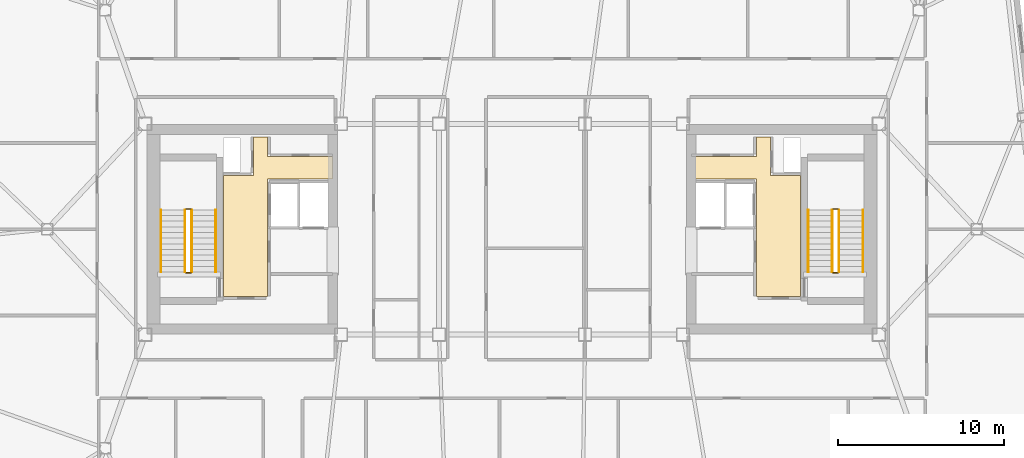
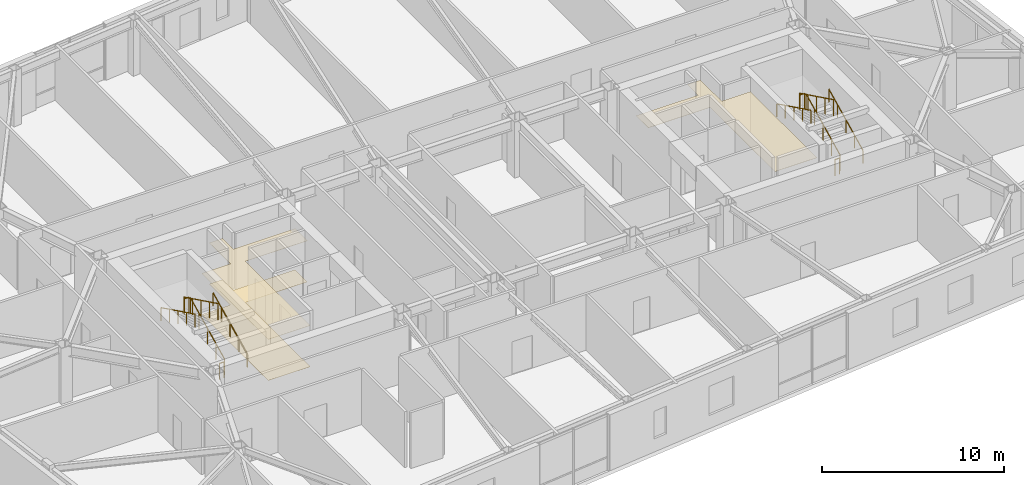
# One storey, part 19 of 20: 12 railings, 3 coverings.
"""IFC4 building model written with IfcOpenShell, lengths in metres."""

from ifc_helpers import new_model, si_unit, direction, frame, origin, origin_2d, place, context, subcontext, project, spatial, polyline, rectangle, outline, extrude, material, layer, layer_set, type_object, element, save


model = new_model("IFC4")

# Units and contexts
model_context = context("Model", 3, precision=1e-05, world=origin(), true_north=direction((0.0, 1.0)))
body_context = subcontext(model_context, "Body", "Model", "MODEL_VIEW")
ifc_project = project(units=[si_unit("LENGTHUNIT", "METRE"), si_unit("AREAUNIT", "SQUARE_METRE"), si_unit("VOLUMEUNIT", "CUBIC_METRE"), si_unit("PLANEANGLEUNIT", "RADIAN"), si_unit("MASSUNIT", "GRAM", prefix="KILO")], contexts=[model_context])

# Site, building, storey
site_placement = place(None, origin())
site = spatial("IfcSite", under=ifc_project, at=site_placement, CompositionType="ELEMENT")
building_placement = place(site_placement, origin())
building = spatial("IfcBuilding", under=site, at=building_placement, Name="Tavrogorsk Clinical Tower", CompositionType="ELEMENT")
storey_placement = place(building_placement, frame((0.0, 0.0, 251.0)))
storey = spatial("IfcBuildingStorey", under=building, at=storey_placement, Name="L58", CompositionType="ELEMENT", Elevation=251.0)

# Coverings
ifc_material_1 = material(Name="Antibacterial micro-perforated aluminium ceiling", Category="aluminium")
ifc_layer_1 = layer(ifc_material_1, 0.014892578125)
ifc_layer_set_1 = layer_set([ifc_layer_1], Name="Antibacterial micro-perforated aluminium ceiling")
covering_type_1 = type_object("IfcCoveringType", Name="ClinicalCeiling_15", PredefinedType="CEILING", material=ifc_layer_set_1)
covering_1_placement = place(storey_placement, frame((0.0, 0.0, 2.75)))
element("IfcCovering", 1, at=covering_1_placement, inside=storey, type_object=covering_type_1, Name="Core West Firefighting Lift Lobby Acoustic Ceiling", PredefinedType="CEILING", context=body_context, shape_type="SweptSolid", body=[
    extrude(outline(polyline([(-14.719970703125, 4.3798828125), (-10.800048828125, 4.3798828125), (-10.800048828125, 3.0400390625), (-14.719970703125, 3.0400390625), (-14.719970703125, -4.06005859375), (-17.3798828125, -4.06005859375), (-17.3798828125, 3.239990234375), (-15.56005859375, 3.239990234375), (-15.56005859375, 5.56005859375), (-14.719970703125, 5.56005859375), (-14.719970703125, 4.3798828125)])), origin(), (0.0, 0.0, 1.0), 0.014892578125),
])
covering_2_placement = place(storey_placement, frame((0.0, 0.0, 2.75)))
element("IfcCovering", 2, at=covering_2_placement, inside=storey, type_object=covering_type_1, Name="Core East Firefighting Lift Lobby Acoustic Ceiling", PredefinedType="CEILING", context=body_context, shape_type="SweptSolid", body=[
    extrude(outline(polyline([(14.719970703125, -4.06005859375), (14.719970703125, 3.0400390625), (10.800048828125, 3.0400390625), (10.800048828125, 4.3798828125), (14.719970703125, 4.3798828125), (14.719970703125, 5.56005859375), (15.56005859375, 5.56005859375), (15.56005859375, 3.239990234375), (17.3798828125, 3.239990234375), (17.3798828125, -4.06005859375), (14.719970703125, -4.06005859375)])), origin(), (0.0, 0.0, 1.0), 0.014892578125),
])
ifc_material_2 = material(Name="Homogeneous medical conductive PVC flooring")
ifc_layer_2 = layer(ifc_material_2, 0.008056640625)
ifc_layer_set_2 = layer_set([ifc_layer_2], Name="Homogeneous medical conductive PVC flooring")
covering_type_2 = type_object("IfcCoveringType", Name="ResilientVinylFloor_8", PredefinedType="FLOORING", material=ifc_layer_set_2)
covering_3_placement = place(storey_placement, origin())
element("IfcCovering", 3, at=covering_3_placement, inside=storey, type_object=covering_type_2, Name="Core West Firefighting Lift Lobby Conductive Vinyl Flooring", PredefinedType="FLOORING", context=body_context, shape_type="SweptSolid", body=[
    extrude(outline(polyline([(-14.719970703125, 4.3798828125), (-10.800048828125, 4.3798828125), (-10.800048828125, 3.0400390625), (-14.719970703125, 3.0400390625), (-14.719970703125, -4.06005859375), (-17.3798828125, -4.06005859375), (-17.3798828125, 3.239990234375), (-15.56005859375, 3.239990234375), (-15.56005859375, 5.56005859375), (-14.719970703125, 5.56005859375), (-14.719970703125, 4.3798828125)])), origin(), (0.0, 0.0, 1.0), 0.008056640625),
])

# Railings
ifc_material_3 = material(Name="Galvanised steel S355 safety stairwell guard", Category="steel")
ifc_layer_3 = layer(ifc_material_3, 0.06005859375)
ifc_layer_set_3 = layer_set([ifc_layer_3], Name="Galvanised steel S355 safety stairwell guard")
railing_type_1 = type_object("IfcRailingType", Name="StairGuard_1150", PredefinedType="GUARDRAIL", material=ifc_layer_set_3)
railing_1_placement = place(storey_placement, frame((-19.300048828125, -2.574951171875, 0.166748046875)))
element("IfcRailing", 4, at=railing_1_placement, inside=storey, type_object=railing_type_1, Name="L58 ST-W stair guard 1", PredefinedType="GUARDRAIL", context=body_context, shape_type="SweptSolid", body=[
    extrude(rectangle(XDim=0.048095703125, YDim=0.048095703125, at=origin_2d()), frame((0.0, 0.0, 1.076171875), z_axis=(0.0, 0.897927990467, 0.440142390523), x_axis=(-1.0, 0.0, 0.0)), (0.0, 0.0, 1.0), 4.1650390625),
    extrude(rectangle(XDim=0.0419921875, YDim=0.0419921875, at=origin_2d()), origin(), (0.0, 0.0, 1.0), 1.052001953125),
    extrude(rectangle(XDim=0.0419921875, YDim=0.0419921875, at=origin_2d()), frame((0.0, 0.93505859375, 0.458251953125)), (0.0, 0.0, 1.0), 1.052001953125),
    extrude(rectangle(XDim=0.0419921875, YDim=0.0419921875, at=origin_2d()), frame((0.0, 1.8701171875, 0.91650390625)), (0.0, 0.0, 1.0), 1.052001953125),
    extrude(rectangle(XDim=0.0419921875, YDim=0.0419921875, at=origin_2d()), frame((0.0, 2.804931640625, 1.375)), (0.0, 0.0, 1.0), 1.052001953125),
    extrude(rectangle(XDim=0.0419921875, YDim=0.0419921875, at=origin_2d()), frame((0.0, 3.739990234375, 1.833251953125)), (0.0, 0.0, 1.0), 1.052001953125),
])
railing_2_placement = place(storey_placement, frame((-19.35009765625, 1.215087890625, 2.0)))
element("IfcRailing", 5, at=railing_2_placement, inside=storey, type_object=railing_type_1, Name="L58 ST-W stair guard 2", PredefinedType="GUARDRAIL", context=body_context, shape_type="SweptSolid", body=[
    extrude(rectangle(XDim=0.048095703125, YDim=0.048095703125, at=origin_2d()), frame((0.0, 0.0, 1.076171875), z_axis=(-1.0, 0.0, 0.0), x_axis=(0.0, -1.0, 0.0)), (0.0, 0.0, 1.0), 0.2998046875),
    extrude(rectangle(XDim=0.0419921875, YDim=0.0419921875, at=origin_2d()), origin(), (0.0, 0.0, 1.0), 1.052001953125),
    extrude(rectangle(XDim=0.0419921875, YDim=0.0419921875, at=origin_2d()), frame((-0.2998046875, 0.0, 0.0)), (0.0, 0.0, 1.0), 1.052001953125),
])
railing_3_placement = place(storey_placement, frame((-19.699951171875, 1.1650390625, 2.166748046875)))
element("IfcRailing", 6, at=railing_3_placement, inside=storey, type_object=railing_type_1, Name="L58 ST-W stair guard 3", PredefinedType="GUARDRAIL", context=body_context, shape_type="SweptSolid", body=[
    extrude(rectangle(XDim=0.048095703125, YDim=0.048095703125, at=origin_2d()), frame((0.0, 0.0, 1.076171875), z_axis=(0.0, -0.897927990467, 0.440142390523), x_axis=(1.0, 0.0, 0.0)), (0.0, 0.0, 1.0), 4.1650390625),
    extrude(rectangle(XDim=0.0419921875, YDim=0.0419921875, at=origin_2d()), origin(), (0.0, 0.0, 1.0), 1.052001953125),
    extrude(rectangle(XDim=0.0419921875, YDim=0.0419921875, at=origin_2d()), frame((0.0, -0.93505859375, 0.458251953125)), (0.0, 0.0, 1.0), 1.052001953125),
    extrude(rectangle(XDim=0.0419921875, YDim=0.0419921875, at=origin_2d()), frame((0.0, -1.8701171875, 0.91650390625)), (0.0, 0.0, 1.0), 1.052001953125),
    extrude(rectangle(XDim=0.0419921875, YDim=0.0419921875, at=origin_2d()), frame((0.0, -2.804931640625, 1.375)), (0.0, 0.0, 1.0), 1.052001953125),
    extrude(rectangle(XDim=0.0419921875, YDim=0.0419921875, at=origin_2d()), frame((0.0, -3.739990234375, 1.833251953125)), (0.0, 0.0, 1.0), 1.052001953125),
])
railing_4_placement = place(storey_placement, frame((-19.35009765625, -2.625, 0.0)))
element("IfcRailing", 7, at=railing_4_placement, inside=storey, type_object=railing_type_1, Name="L58 ST-W stair guard 4", PredefinedType="GUARDRAIL", context=body_context, shape_type="SweptSolid", body=[
    extrude(rectangle(XDim=0.048095703125, YDim=0.048095703125, at=origin_2d()), frame((0.0, 0.0, 1.076171875), z_axis=(-1.0, 0.0, 0.0), x_axis=(0.0, -1.0, 0.0)), (0.0, 0.0, 1.0), 0.2998046875),
    extrude(rectangle(XDim=0.0419921875, YDim=0.0419921875, at=origin_2d()), origin(), (0.0, 0.0, 1.0), 1.052001953125),
    extrude(rectangle(XDim=0.0419921875, YDim=0.0419921875, at=origin_2d()), frame((-0.2998046875, 0.0, 0.0)), (0.0, 0.0, 1.0), 1.052001953125),
])
railing_5_placement = place(storey_placement, frame((19.699951171875, -2.574951171875, 0.166748046875)))
element("IfcRailing", 8, at=railing_5_placement, inside=storey, type_object=railing_type_1, Name="L58 ST-E stair guard 1", PredefinedType="GUARDRAIL", context=body_context, shape_type="SweptSolid", body=[
    extrude(rectangle(XDim=0.048095703125, YDim=0.048095703125, at=origin_2d()), frame((0.0, 0.0, 1.076171875), z_axis=(0.0, 0.897927990467, 0.440142390523), x_axis=(-1.0, 0.0, 0.0)), (0.0, 0.0, 1.0), 4.1650390625),
    extrude(rectangle(XDim=0.0419921875, YDim=0.0419921875, at=origin_2d()), origin(), (0.0, 0.0, 1.0), 1.052001953125),
    extrude(rectangle(XDim=0.0419921875, YDim=0.0419921875, at=origin_2d()), frame((0.0, 0.93505859375, 0.458251953125)), (0.0, 0.0, 1.0), 1.052001953125),
    extrude(rectangle(XDim=0.0419921875, YDim=0.0419921875, at=origin_2d()), frame((0.0, 1.8701171875, 0.91650390625)), (0.0, 0.0, 1.0), 1.052001953125),
    extrude(rectangle(XDim=0.0419921875, YDim=0.0419921875, at=origin_2d()), frame((0.0, 2.804931640625, 1.375)), (0.0, 0.0, 1.0), 1.052001953125),
    extrude(rectangle(XDim=0.0419921875, YDim=0.0419921875, at=origin_2d()), frame((0.0, 3.739990234375, 1.833251953125)), (0.0, 0.0, 1.0), 1.052001953125),
])
railing_6_placement = place(storey_placement, frame((19.64990234375, 1.215087890625, 2.0)))
element("IfcRailing", 9, at=railing_6_placement, inside=storey, type_object=railing_type_1, Name="L58 ST-E stair guard 2", PredefinedType="GUARDRAIL", context=body_context, shape_type="SweptSolid", body=[
    extrude(rectangle(XDim=0.048095703125, YDim=0.048095703125, at=origin_2d()), frame((0.0, 0.0, 1.076171875), z_axis=(-1.0, 0.0, 0.0), x_axis=(0.0, -1.0, 0.0)), (0.0, 0.0, 1.0), 0.2998046875),
    extrude(rectangle(XDim=0.0419921875, YDim=0.0419921875, at=origin_2d()), origin(), (0.0, 0.0, 1.0), 1.052001953125),
    extrude(rectangle(XDim=0.0419921875, YDim=0.0419921875, at=origin_2d()), frame((-0.2998046875, 0.0, 0.0)), (0.0, 0.0, 1.0), 1.052001953125),
])
railing_7_placement = place(storey_placement, frame((19.300048828125, 1.1650390625, 2.166748046875)))
element("IfcRailing", 10, at=railing_7_placement, inside=storey, type_object=railing_type_1, Name="L58 ST-E stair guard 3", PredefinedType="GUARDRAIL", context=body_context, shape_type="SweptSolid", body=[
    extrude(rectangle(XDim=0.048095703125, YDim=0.048095703125, at=origin_2d()), frame((0.0, 0.0, 1.076171875), z_axis=(0.0, -0.897927990467, 0.440142390523), x_axis=(1.0, 0.0, 0.0)), (0.0, 0.0, 1.0), 4.1650390625),
    extrude(rectangle(XDim=0.0419921875, YDim=0.0419921875, at=origin_2d()), origin(), (0.0, 0.0, 1.0), 1.052001953125),
    extrude(rectangle(XDim=0.0419921875, YDim=0.0419921875, at=origin_2d()), frame((0.0, -0.93505859375, 0.458251953125)), (0.0, 0.0, 1.0), 1.052001953125),
    extrude(rectangle(XDim=0.0419921875, YDim=0.0419921875, at=origin_2d()), frame((0.0, -1.8701171875, 0.91650390625)), (0.0, 0.0, 1.0), 1.052001953125),
    extrude(rectangle(XDim=0.0419921875, YDim=0.0419921875, at=origin_2d()), frame((0.0, -2.804931640625, 1.375)), (0.0, 0.0, 1.0), 1.052001953125),
    extrude(rectangle(XDim=0.0419921875, YDim=0.0419921875, at=origin_2d()), frame((0.0, -3.739990234375, 1.833251953125)), (0.0, 0.0, 1.0), 1.052001953125),
])
railing_8_placement = place(storey_placement, frame((19.64990234375, -2.625, 0.0)))
element("IfcRailing", 11, at=railing_8_placement, inside=storey, type_object=railing_type_1, Name="L58 ST-E stair guard 4", PredefinedType="GUARDRAIL", context=body_context, shape_type="SweptSolid", body=[
    extrude(rectangle(XDim=0.048095703125, YDim=0.048095703125, at=origin_2d()), frame((0.0, 0.0, 1.076171875), z_axis=(-1.0, 0.0, 0.0), x_axis=(0.0, -1.0, 0.0)), (0.0, 0.0, 1.0), 0.2998046875),
    extrude(rectangle(XDim=0.0419921875, YDim=0.0419921875, at=origin_2d()), origin(), (0.0, 0.0, 1.0), 1.052001953125),
    extrude(rectangle(XDim=0.0419921875, YDim=0.0419921875, at=origin_2d()), frame((-0.2998046875, 0.0, 0.0)), (0.0, 0.0, 1.0), 1.052001953125),
])
ifc_material_4 = material(Name="Stainless steel AISI 304 tubular handrail", Category="steel")
ifc_layer_4 = layer(ifc_material_4, 0.050048828125)
ifc_layer_set_4 = layer_set([ifc_layer_4], Name="Stainless steel AISI 304 tubular handrail")
railing_type_2 = type_object("IfcRailingType", Name="StairHandrail_920", PredefinedType="HANDRAIL", material=ifc_layer_set_4)
railing_9_placement = place(storey_placement, frame((-17.85009765625, -2.574951171875, 0.166748046875)))
element("IfcRailing", 12, at=railing_9_placement, inside=storey, type_object=railing_type_2, Name="L58 ST-W stair handrail 1", PredefinedType="HANDRAIL", context=body_context, shape_type="SweptSolid", body=[
    extrude(rectangle(XDim=0.048095703125, YDim=0.048095703125, at=origin_2d()), frame((0.0, 0.0, 0.8759765625), z_axis=(0.0, 0.897927990467, 0.440142390523), x_axis=(-1.0, 0.0, 0.0)), (0.0, 0.0, 1.0), 4.1650390625),
    extrude(rectangle(XDim=0.0419921875, YDim=0.0419921875, at=origin_2d()), origin(), (0.0, 0.0, 1.0), 0.851806640625),
    extrude(rectangle(XDim=0.0419921875, YDim=0.0419921875, at=origin_2d()), frame((0.0, 0.93505859375, 0.458251953125)), (0.0, 0.0, 1.0), 0.851806640625),
    extrude(rectangle(XDim=0.0419921875, YDim=0.0419921875, at=origin_2d()), frame((0.0, 1.8701171875, 0.91650390625)), (0.0, 0.0, 1.0), 0.851806640625),
    extrude(rectangle(XDim=0.0419921875, YDim=0.0419921875, at=origin_2d()), frame((0.0, 2.804931640625, 1.375)), (0.0, 0.0, 1.0), 0.851806640625),
    extrude(rectangle(XDim=0.0419921875, YDim=0.0419921875, at=origin_2d()), frame((0.0, 3.739990234375, 1.833251953125)), (0.0, 0.0, 1.0), 0.851806640625),
])
railing_10_placement = place(storey_placement, frame((-21.14990234375, 1.1650390625, 2.166748046875)))
element("IfcRailing", 13, at=railing_10_placement, inside=storey, type_object=railing_type_2, Name="L58 ST-W stair handrail 2", PredefinedType="HANDRAIL", context=body_context, shape_type="SweptSolid", body=[
    extrude(rectangle(XDim=0.048095703125, YDim=0.048095703125, at=origin_2d()), frame((0.0, 0.0, 0.8759765625), z_axis=(0.0, -0.897927990467, 0.440142390523), x_axis=(1.0, 0.0, 0.0)), (0.0, 0.0, 1.0), 4.1650390625),
    extrude(rectangle(XDim=0.0419921875, YDim=0.0419921875, at=origin_2d()), origin(), (0.0, 0.0, 1.0), 0.851806640625),
    extrude(rectangle(XDim=0.0419921875, YDim=0.0419921875, at=origin_2d()), frame((0.0, -0.93505859375, 0.458251953125)), (0.0, 0.0, 1.0), 0.851806640625),
    extrude(rectangle(XDim=0.0419921875, YDim=0.0419921875, at=origin_2d()), frame((0.0, -1.8701171875, 0.91650390625)), (0.0, 0.0, 1.0), 0.851806640625),
    extrude(rectangle(XDim=0.0419921875, YDim=0.0419921875, at=origin_2d()), frame((0.0, -2.804931640625, 1.375)), (0.0, 0.0, 1.0), 0.851806640625),
    extrude(rectangle(XDim=0.0419921875, YDim=0.0419921875, at=origin_2d()), frame((0.0, -3.739990234375, 1.833251953125)), (0.0, 0.0, 1.0), 0.851806640625),
])
railing_11_placement = place(storey_placement, frame((21.14990234375, -2.574951171875, 0.166748046875)))
element("IfcRailing", 14, at=railing_11_placement, inside=storey, type_object=railing_type_2, Name="L58 ST-E stair handrail 1", PredefinedType="HANDRAIL", context=body_context, shape_type="SweptSolid", body=[
    extrude(rectangle(XDim=0.048095703125, YDim=0.048095703125, at=origin_2d()), frame((0.0, 0.0, 0.8759765625), z_axis=(0.0, 0.897927990467, 0.440142390523), x_axis=(-1.0, 0.0, 0.0)), (0.0, 0.0, 1.0), 4.1650390625),
    extrude(rectangle(XDim=0.0419921875, YDim=0.0419921875, at=origin_2d()), origin(), (0.0, 0.0, 1.0), 0.851806640625),
    extrude(rectangle(XDim=0.0419921875, YDim=0.0419921875, at=origin_2d()), frame((0.0, 0.93505859375, 0.458251953125)), (0.0, 0.0, 1.0), 0.851806640625),
    extrude(rectangle(XDim=0.0419921875, YDim=0.0419921875, at=origin_2d()), frame((0.0, 1.8701171875, 0.91650390625)), (0.0, 0.0, 1.0), 0.851806640625),
    extrude(rectangle(XDim=0.0419921875, YDim=0.0419921875, at=origin_2d()), frame((0.0, 2.804931640625, 1.375)), (0.0, 0.0, 1.0), 0.851806640625),
    extrude(rectangle(XDim=0.0419921875, YDim=0.0419921875, at=origin_2d()), frame((0.0, 3.739990234375, 1.833251953125)), (0.0, 0.0, 1.0), 0.851806640625),
])
railing_12_placement = place(storey_placement, frame((17.85009765625, 1.1650390625, 2.166748046875)))
element("IfcRailing", 15, at=railing_12_placement, inside=storey, type_object=railing_type_2, Name="L58 ST-E stair handrail 2", PredefinedType="HANDRAIL", context=body_context, shape_type="SweptSolid", body=[
    extrude(rectangle(XDim=0.048095703125, YDim=0.048095703125, at=origin_2d()), frame((0.0, 0.0, 0.8759765625), z_axis=(0.0, -0.897927990467, 0.440142390523), x_axis=(1.0, 0.0, 0.0)), (0.0, 0.0, 1.0), 4.1650390625),
    extrude(rectangle(XDim=0.0419921875, YDim=0.0419921875, at=origin_2d()), origin(), (0.0, 0.0, 1.0), 0.851806640625),
    extrude(rectangle(XDim=0.0419921875, YDim=0.0419921875, at=origin_2d()), frame((0.0, -0.93505859375, 0.458251953125)), (0.0, 0.0, 1.0), 0.851806640625),
    extrude(rectangle(XDim=0.0419921875, YDim=0.0419921875, at=origin_2d()), frame((0.0, -1.8701171875, 0.91650390625)), (0.0, 0.0, 1.0), 0.851806640625),
    extrude(rectangle(XDim=0.0419921875, YDim=0.0419921875, at=origin_2d()), frame((0.0, -2.804931640625, 1.375)), (0.0, 0.0, 1.0), 0.851806640625),
    extrude(rectangle(XDim=0.0419921875, YDim=0.0419921875, at=origin_2d()), frame((0.0, -3.739990234375, 1.833251953125)), (0.0, 0.0, 1.0), 0.851806640625),
])

save(model, "model.ifc")
